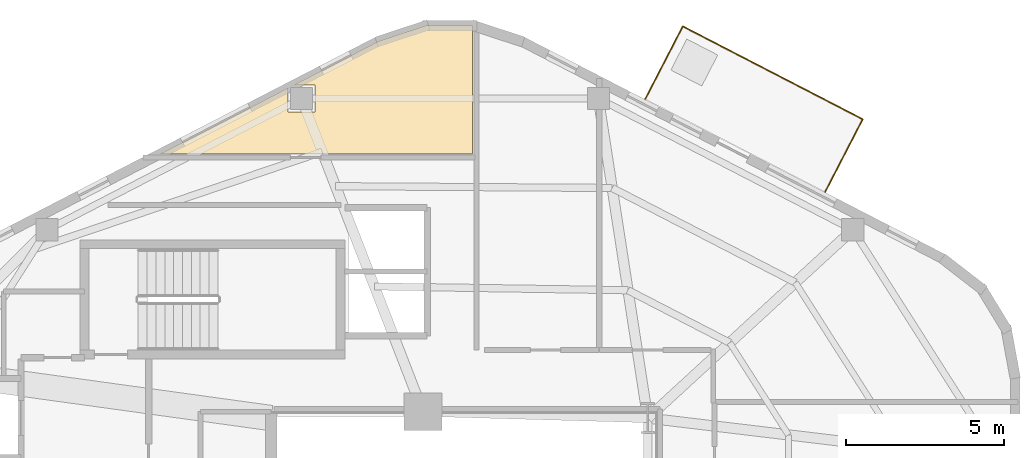
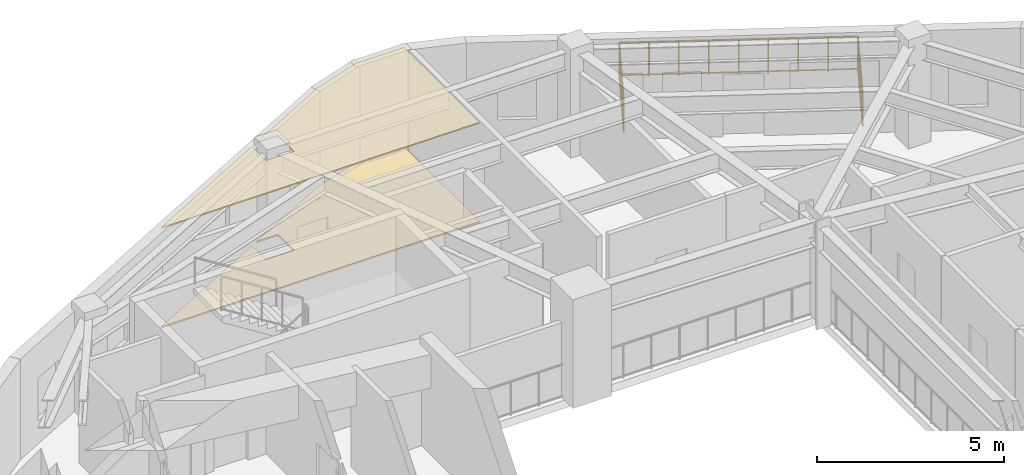
# One storey, part 10 of 10: 2 coverings, 1 railing.
"""IFC4 building model written with IfcOpenShell, lengths in metres."""

from ifc_helpers import new_model, si_unit, direction, frame, origin, origin_2d, place, context, subcontext, project, spatial, polyline, circle, outline, extrude, material, layer, layer_set, type_object, element, save


model = new_model("IFC4")

# Units and contexts
model_context = context("Model", 3, precision=1e-05, world=origin(), true_north=direction((0.0, 1.0)))
body_context = subcontext(model_context, "Body", "Model", "MODEL_VIEW")
ifc_project = project(units=[si_unit("LENGTHUNIT", "METRE"), si_unit("AREAUNIT", "SQUARE_METRE"), si_unit("VOLUMEUNIT", "CUBIC_METRE"), si_unit("PLANEANGLEUNIT", "RADIAN"), si_unit("MASSUNIT", "GRAM", prefix="KILO"), si_unit("THERMODYNAMICTEMPERATUREUNIT", "KELVIN"), si_unit("POWERUNIT", "WATT")], contexts=[model_context])

# Site, building, storey
site_placement = place(None, origin())
site = spatial("IfcSite", under=ifc_project, at=site_placement, CompositionType="ELEMENT")
building_placement = place(site_placement, origin())
building = spatial("IfcBuilding", under=site, at=building_placement, Name="Skarre Station Tower", CompositionType="ELEMENT")
storey_placement = place(building_placement, frame((0.0, 0.0, 227.699951171875)))
storey = spatial("IfcBuildingStorey", under=building, at=storey_placement, Name="L62", CompositionType="ELEMENT", Elevation=227.699951171875)

# Covering
ifc_material_1 = material(Name="Honed Jura Limestone & Calcium-Sulfate Access Tile", Category="masonry")
ifc_layer_1 = layer(ifc_material_1, 0.050048828125, Name="Honed Jura Limestone & Calcium-Sulfate Access Tile")
ifc_layer_set_1 = layer_set([ifc_layer_1], Name="Honed Jura Limestone & Calcium-Sulfate Access Tile")
covering_type_1 = type_object("IfcCoveringType", Name="Honed Limestone & Raised Access Floor Finish 50", PredefinedType="FLOORING", material=ifc_layer_set_1)
covering_1_placement = place(storey_placement, origin())
element("IfcCovering", 1, at=covering_1_placement, inside=storey, type_object=covering_type_1, Name="L62 Limestone Access Flooring 1", PredefinedType="FLOORING", context=body_context, shape_type="SweptSolid", body=[
    extrude(outline(polyline([(33.919921875, 41.74609375), (32.429931640625, 41.74609375), (30.9541015625, 41.260009765625), (28.27490234375, 39.876953125), (28.94091796875, 39.876953125), (28.94091796875, 39.01708984375), (28.0810546875, 39.01708984375), (28.0810546875, 39.777099609375), (24.05810546875, 37.699951171875), (33.919921875, 37.699951171875), (33.919921875, 41.74609375)])), origin(), (0.0, 0.0, 1.0), 0.050048828125),
])

# Railing
ifc_material_2 = material(Name="Stainless Steel Grade 316L & Laminated Safety Glass", Category="steel")
railing_type = type_object("IfcRailingType", Name="Laminated Glass & Stainless Terrace Guardrail 1150", PredefinedType="BALUSTRADE", material=ifc_material_2)
railing_placement = place(storey_placement, frame((45.054931640625, 36.490966796875, 0.0)))
element("IfcRailing", 2, at=railing_placement, inside=storey, type_object=railing_type, Name="L62 TB-L62-F0 Tree-Balcony Guardrail", PredefinedType="BALUSTRADE", context=body_context, shape_type="SweptSolid", body=[
    extrude(circle(Radius=0.02392578125, at=origin_2d()), frame((0.0, 0.0, 1.1259765625), z_axis=(0.458753384133, 0.888563634495, 0.0), x_axis=(-0.888563634495, 0.458753384133, 0.0)), (0.0, 0.0, 1.0), 2.589599609375),
    extrude(circle(Radius=0.02099609375, at=origin_2d()), frame((0.0, 0.0, 0.06005859375), z_axis=(0.458753384133, 0.888563634495, 0.0), x_axis=(-0.888563634495, 0.458753384133, 0.0)), (0.0, 0.0, 1.0), 2.589599609375),
    extrude(circle(Radius=0.02392578125, at=origin_2d()), frame((1.18798828125, 2.301025390625, 1.1259765625), z_axis=(-0.888569497845, 0.458742027178, 0.0), x_axis=(-0.458742027178, -0.888569497845, 0.0)), (0.0, 0.0, 1.0), 6.400146484375),
    extrude(circle(Radius=0.02099609375, at=origin_2d()), frame((1.18798828125, 2.301025390625, 0.06005859375), z_axis=(-0.888569497845, 0.458742027178, 0.0), x_axis=(-0.458742027178, -0.888569497845, 0.0)), (0.0, 0.0, 1.0), 6.400146484375),
    extrude(circle(Radius=0.02392578125, at=origin_2d()), frame((-4.4990234375, 5.237060546875, 1.1259765625), z_axis=(-0.458753384133, -0.888563634495, 0.0), x_axis=(0.888563634495, -0.458753384133, 0.0)), (0.0, 0.0, 1.0), 2.589599609375),
    extrude(circle(Radius=0.02099609375, at=origin_2d()), frame((-4.4990234375, 5.237060546875, 0.06005859375), z_axis=(-0.458753384133, -0.888563634495, 0.0), x_axis=(0.888563634495, -0.458753384133, 0.0)), (0.0, 0.0, 1.0), 2.589599609375),
    extrude(circle(Radius=0.02099609375, at=origin_2d()), origin(), (0.0, 0.0, 1.0), 1.101806640625),
    extrude(circle(Radius=0.02099609375, at=origin_2d()), frame((0.39599609375, 0.76708984375, 0.0)), (0.0, 0.0, 1.0), 1.101806640625),
    extrude(circle(Radius=0.02099609375, at=origin_2d()), frame((0.7919921875, 1.533935546875, 0.0)), (0.0, 0.0, 1.0), 1.101806640625),
    extrude(circle(Radius=0.02099609375, at=origin_2d()), frame((1.18798828125, 2.301025390625, 0.0)), (0.0, 0.0, 1.0), 1.101806640625),
    extrude(circle(Radius=0.02099609375, at=origin_2d()), frame((0.47705078125, 2.66796875, 0.0)), (0.0, 0.0, 1.0), 1.101806640625),
    extrude(circle(Radius=0.02099609375, at=origin_2d()), frame((-0.23388671875, 3.03515625, 0.0)), (0.0, 0.0, 1.0), 1.101806640625),
    extrude(circle(Radius=0.02099609375, at=origin_2d()), frame((-0.944580078125, 3.402099609375, 0.0)), (0.0, 0.0, 1.0), 1.101806640625),
    extrude(circle(Radius=0.02099609375, at=origin_2d()), frame((-1.655517578125, 3.76904296875, 0.0)), (0.0, 0.0, 1.0), 1.101806640625),
    extrude(circle(Radius=0.02099609375, at=origin_2d()), frame((-2.366455078125, 4.135986328125, 0.0)), (0.0, 0.0, 1.0), 1.101806640625),
    extrude(circle(Radius=0.02099609375, at=origin_2d()), frame((-3.0771484375, 4.5029296875, 0.0)), (0.0, 0.0, 1.0), 1.101806640625),
    extrude(circle(Radius=0.02099609375, at=origin_2d()), frame((-3.7880859375, 4.8701171875, 0.0)), (0.0, 0.0, 1.0), 1.101806640625),
    extrude(circle(Radius=0.02099609375, at=origin_2d()), frame((-4.4990234375, 5.237060546875, 0.0)), (0.0, 0.0, 1.0), 1.101806640625),
    extrude(circle(Radius=0.02099609375, at=origin_2d()), frame((-4.89501953125, 4.469970703125, 0.0)), (0.0, 0.0, 1.0), 1.101806640625),
    extrude(circle(Radius=0.02099609375, at=origin_2d()), frame((-5.291015625, 3.703125, 0.0)), (0.0, 0.0, 1.0), 1.101806640625),
    extrude(circle(Radius=0.02099609375, at=origin_2d()), frame((-5.68701171875, 2.93603515625, 0.0)), (0.0, 0.0, 1.0), 1.101806640625),
])

# Covering
ifc_material_3 = material(Name="Perforated Nordic Birch Veneer & Mineral Wool", Category="wood")
ifc_layer_2 = layer(ifc_material_3, 0.044921875, Name="Perforated Nordic Birch Veneer & Mineral Wool")
ifc_layer_set_2 = layer_set([ifc_layer_2], Name="Perforated Nordic Birch Veneer & Mineral Wool")
covering_type_2 = type_object("IfcCoveringType", Name="Nordic Birch Slatted Acoustic Suspended Ceiling 45", PredefinedType="CEILING", material=ifc_layer_set_2)
covering_2_placement = place(storey_placement, frame((0.0, 0.0, 3.2451171875)))
element("IfcCovering", 3, at=covering_2_placement, inside=storey, type_object=covering_type_2, Name="L62 Acoustic Birch Ceiling 1", PredefinedType="CEILING", context=body_context, shape_type="SweptSolid", body=[
    extrude(outline(polyline([(33.919921875, 41.74609375), (32.429931640625, 41.74609375), (30.9541015625, 41.260009765625), (28.27490234375, 39.876953125), (28.94091796875, 39.876953125), (28.94091796875, 39.01708984375), (28.0810546875, 39.01708984375), (28.0810546875, 39.777099609375), (24.05810546875, 37.699951171875), (33.919921875, 37.699951171875), (33.919921875, 41.74609375)])), origin(), (0.0, 0.0, 1.0), 0.044921875),
])

save(model, "model.ifc")
